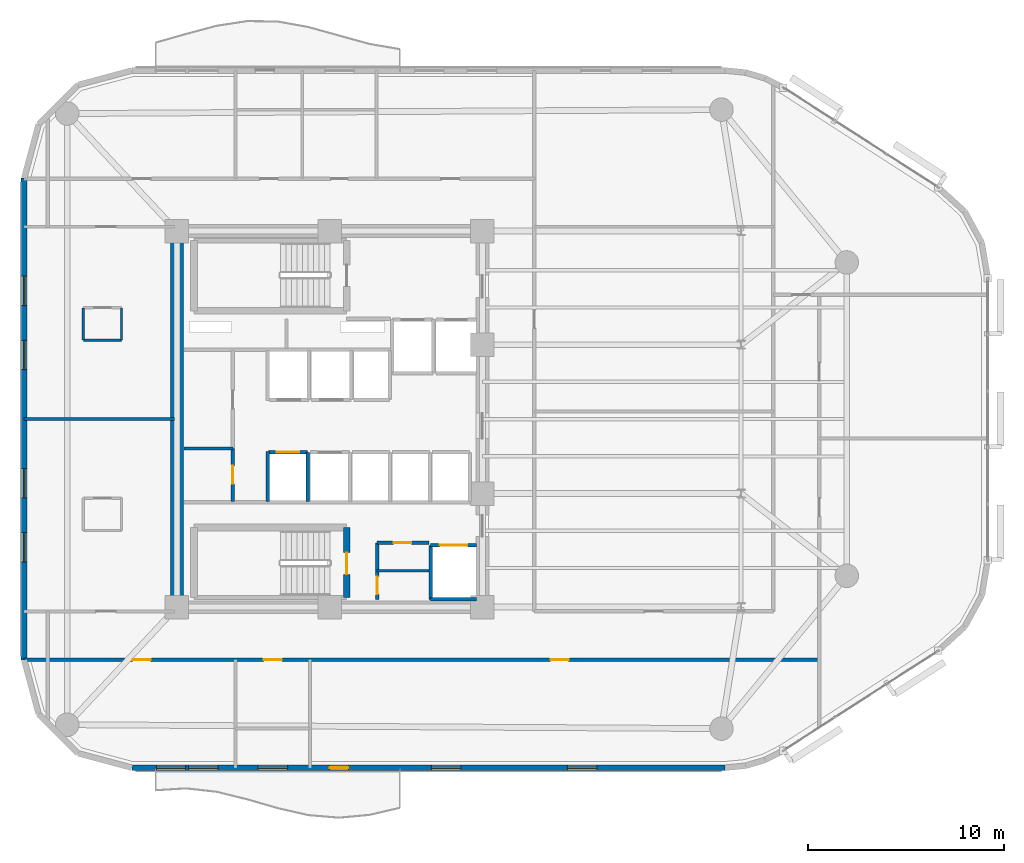
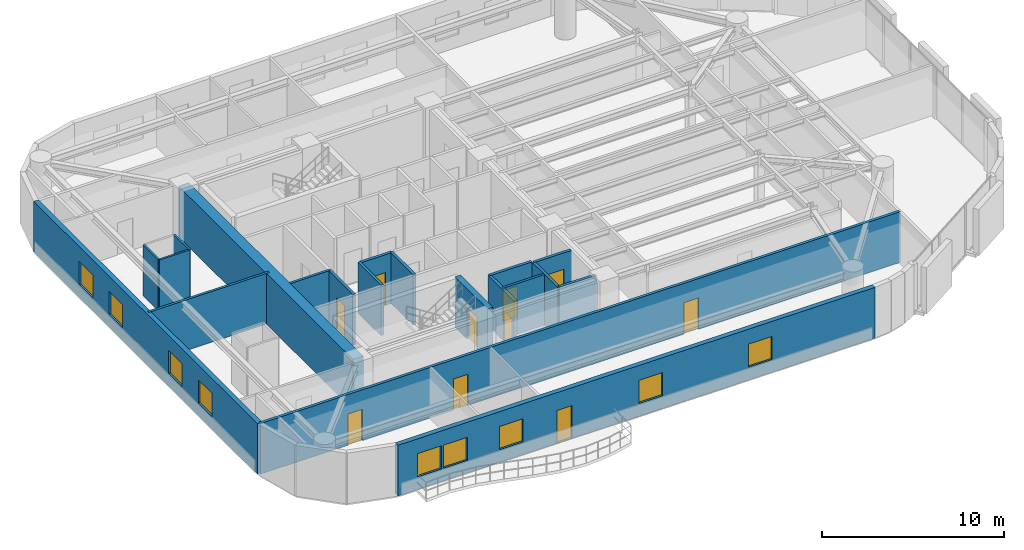
# One storey, part 10 of 15: 20 walls, 10 doors, 9 windows, 19 openings.
"""IFC4 building model written with IfcOpenShell, lengths in metres."""

from ifc_helpers import new_model, si_unit, direction, frame, frame_2d, origin, place, context, subcontext, project, spatial, rectangle, extrude, material, layer, layer_set, type_object, element, fill, save


model = new_model("IFC4")

# Units and contexts
model_context = context("Model", 3, precision=1e-05, world=origin(), true_north=direction((0.0, 1.0)))
body_context = subcontext(model_context, "Body", "Model", "MODEL_VIEW")
ifc_project = project(units=[si_unit("LENGTHUNIT", "METRE"), si_unit("AREAUNIT", "SQUARE_METRE"), si_unit("VOLUMEUNIT", "CUBIC_METRE"), si_unit("PLANEANGLEUNIT", "RADIAN"), si_unit("MASSUNIT", "GRAM", prefix="KILO")], contexts=[model_context])

# Site, building, storey
site_placement = place(None, origin())
site = spatial("IfcSite", under=ifc_project, at=site_placement, CompositionType="ELEMENT")
building_placement = place(site_placement, origin())
building = spatial("IfcBuilding", under=site, at=building_placement, Name="An Khanh Terracotta Commons", CompositionType="ELEMENT")
storey_placement = place(building_placement, frame((0.0, 0.0, 169.0)))
storey = spatial("IfcBuildingStorey", under=building, at=storey_placement, Name="L44", CompositionType="ELEMENT", Elevation=169.0)

# Wall
ifc_material_1 = material(Name="Concrete C60/75", Category="concrete")
ifc_layer_1 = layer(ifc_material_1, 0.64990234375, Name="Concrete C60/75")
ifc_layer_set_1 = layer_set([ifc_layer_1], Name="Concrete C60/75")
wall_type_1 = type_object("IfcWallType", Name="WALL-CORE-650", PredefinedType="SHEAR", material=ifc_layer_set_1)
wall_1_placement = place(storey_placement, frame((21.60009765625, 14.39990234375, 0.0), z_axis=(0.0, 0.0, 1.0), x_axis=(0.0, 1.0, 0.0)))
element("IfcWall", 1, at=wall_1_placement, inside=storey, type_object=wall_type_1, Name="L44 Core Wall CWALL-L44-W", PredefinedType="SHEAR", context=body_context, shape_type="SweptSolid", body=[
    extrude(rectangle(XDim=19.2001953125, YDim=0.64990234375, at=frame_2d((9.60009765625, 0.0))), origin(), (0.0, 0.0, 1.0), 3.39990234375),
])

# Wall, opening, door
ifc_material_2 = material(Name="Fire-Rated Gypsum Board on Steel Stud", Category="steel")
ifc_layer_2 = layer(ifc_material_2, 0.179931640625, Name="Fire-Rated Gypsum Board on Steel Stud")
ifc_layer_set_2 = layer_set([ifc_layer_2], Name="Fire-Rated Gypsum Board on Steel Stud")
wall_type_2 = type_object("IfcWallType", Name="WALL-CORR-180", PredefinedType="PARTITIONING", material=ifc_layer_set_2)
wall_2_placement = place(storey_placement, frame((31.820068359375, 17.679931640625, 0.0), z_axis=(0.0, 0.0, 1.0), x_axis=(1.0, 0.0, 0.0)))
wall_2 = element("IfcWall", 2, at=wall_2_placement, inside=storey, type_object=wall_type_2, Name="L44 Core Wall SSVCW-L44-N", PredefinedType="PARTITIONING", context=body_context, shape_type="SweptSolid", body=[
    extrude(rectangle(XDim=2.659912109375, YDim=0.179931640625, at=frame_2d((1.330078125, 0.0))), origin(), (0.0, 0.0, 1.0), 3.39990234375),
])
opening_1_placement = place(wall_2_placement, frame((0.85009765625, 0.0, 0.0)))
opening_1 = element("IfcOpeningElement", 3, at=opening_1_placement, cuts=wall_2, Name="Opening D-SV", PredefinedType="OPENING", context=body_context, shape_type="SweptSolid", body=[
    extrude(rectangle(XDim=0.89990234375, YDim=2.050048828125, at=frame_2d((0.449951171875, 1.02490234375))), frame((0.0, 0.099853515625, 0.0), z_axis=(0.0, -1.0, 0.0), x_axis=(1.0, 0.0, 0.0)), (0.0, 0.0, 1.0), 0.199951171875),
])
ifc_material_3 = material(Name="Fire-Rated Powder-Coated Steel Door", Category="steel")
door_type_1 = type_object("IfcDoorType", Name="DOOR-SERV-900", OperationType="NOTDEFINED", PredefinedType="DOOR", material=ifc_material_3)
door_1_placement = place(opening_1_placement, origin())
door_1 = element("IfcDoor", 4, at=door_1_placement, inside=storey, type_object=door_type_1, Name="L44 Core Cleaner Store Door", OperationType="SINGLE_SWING_LEFT", OverallHeight=2.050048828125, OverallWidth=0.89990234375, PredefinedType="DOOR", context=body_context, shape_type="SweptSolid", body=[
    extrude(rectangle(XDim=0.89990234375, YDim=2.050048828125, at=frame_2d((0.449951171875, 1.02490234375))), frame((0.0, 0.02490234375, 0.0), z_axis=(0.0, -1.0, 0.0), x_axis=(1.0, 0.0, 0.0)), (0.0, 0.0, 1.0), 0.050048828125),
])
fill(opening_1, door_1)

wall_3_placement = place(storey_placement, frame((31.820068359375, 14.800048828125, 0.0), z_axis=(0.0, 0.0, 1.0), x_axis=(0.0, 1.0, 0.0)))
wall_3 = element("IfcWall", 5, at=wall_3_placement, inside=storey, type_object=wall_type_2, Name="L44 Core Wall SSVCW-L44-W", PredefinedType="PARTITIONING", context=body_context, shape_type="SweptSolid", body=[
    extrude(rectangle(XDim=2.8798828125, YDim=0.179931640625, at=frame_2d((1.43994140625, 0.0))), origin(), (0.0, 0.0, 1.0), 3.39990234375),
])
opening_2_placement = place(wall_3_placement, frame((0.260009765625, 0.0, 0.0)))
opening_2 = element("IfcOpeningElement", 6, at=opening_2_placement, cuts=wall_3, Name="Opening D-SV", PredefinedType="OPENING", context=body_context, shape_type="SweptSolid", body=[
    extrude(rectangle(XDim=0.89990234375, YDim=2.050048828125, at=frame_2d((0.449951171875, 1.02490234375))), frame((0.0, 0.099853515625, 0.0), z_axis=(0.0, -1.0, 0.0), x_axis=(1.0, 0.0, 0.0)), (0.0, 0.0, 1.0), 0.199951171875),
])
door_2_placement = place(opening_2_placement, origin())
door_2 = element("IfcDoor", 7, at=door_2_placement, inside=storey, type_object=door_type_1, Name="L44 Telecoms BMS Cupboard Door", OperationType="SINGLE_SWING_RIGHT", OverallHeight=2.050048828125, OverallWidth=0.89990234375, PredefinedType="DOOR", context=body_context, shape_type="SweptSolid", body=[
    extrude(rectangle(XDim=0.89990234375, YDim=2.050048828125, at=frame_2d((0.449951171875, 1.02490234375))), frame((0.0, 0.02490234375, 0.0), z_axis=(0.0, -1.0, 0.0), x_axis=(1.0, 0.0, 0.0)), (0.0, 0.0, 1.0), 0.050048828125),
])
fill(opening_2, door_2)

wall_4_placement = place(storey_placement, frame((34.550048828125, 17.550048828125, 0.0), z_axis=(0.0, 0.0, 1.0), x_axis=(1.0, 0.0, 0.0)))
wall_4 = element("IfcWall", 8, at=wall_4_placement, inside=storey, type_object=wall_type_2, Name="L44 Core Wall LSH-L44-SVL-01-N", PredefinedType="PARTITIONING", context=body_context, shape_type="SweptSolid", body=[
    extrude(rectangle(XDim=2.349853515625, YDim=0.179931640625, at=frame_2d((1.1748046875, 0.0))), origin(), (0.0, 0.0, 1.0), 3.39990234375),
])
opening_3_placement = place(wall_4_placement, frame((0.47509765625, 0.0, 0.0)))
opening_3 = element("IfcOpeningElement", 9, at=opening_3_placement, cuts=wall_4, Name="Opening LD-SVL-01-L44", PredefinedType="OPENING", context=body_context, shape_type="SweptSolid", body=[
    extrude(rectangle(XDim=1.39990234375, YDim=2.300048828125, at=frame_2d((0.699951171875, 1.14990234375))), frame((0.0, 0.099853515625, 0.0), z_axis=(0.0, -1.0, 0.0), x_axis=(1.0, 0.0, 0.0)), (0.0, 0.0, 1.0), 0.199951171875),
])
ifc_material_4 = material(Name="Heavy-Duty Stainless Steel Goods Landing Door", Category="steel")
door_type_2 = type_object("IfcDoorType", Name="DOOR-LD-SVL-1400", OperationType="NOTDEFINED", PredefinedType="DOOR", material=ifc_material_4)
door_3_placement = place(opening_3_placement, origin())
door_3 = element("IfcDoor", 10, at=door_3_placement, inside=storey, type_object=door_type_2, Name="L44 Lift SVL-01 Sliding Landing Door", OperationType="DOUBLE_DOOR_SLIDING", OverallHeight=2.300048828125, OverallWidth=1.39990234375, PredefinedType="DOOR", context=body_context, shape_type="SweptSolid", body=[
    extrude(rectangle(XDim=1.39990234375, YDim=2.300048828125, at=frame_2d((0.699951171875, 1.14990234375))), frame((0.0, 0.02490234375, 0.0), z_axis=(0.0, -1.0, 0.0), x_axis=(1.0, 0.0, 0.0)), (0.0, 0.0, 1.0), 0.050048828125),
])
fill(opening_3, door_3)

# Walls
wall_5_placement = place(storey_placement, frame((36.89990234375, 14.800048828125, 0.0), z_axis=(0.0, 0.0, 1.0), x_axis=(-1.0, 0.0, 0.0)))
element("IfcWall", 11, at=wall_5_placement, inside=storey, type_object=wall_type_2, Name="L44 Core Wall LSH-L44-SVL-01-S", PredefinedType="PARTITIONING", context=body_context, shape_type="SweptSolid", body=[
    extrude(rectangle(XDim=2.349853515625, YDim=0.179931640625, at=frame_2d((1.1748046875, 0.0))), origin(), (0.0, 0.0, 1.0), 3.39990234375),
])
wall_6_placement = place(storey_placement, frame((34.550048828125, 17.550048828125, 0.0), z_axis=(0.0, 0.0, 1.0), x_axis=(0.0, -1.0, 0.0)))
element("IfcWall", 12, at=wall_6_placement, inside=storey, type_object=wall_type_2, Name="L44 Core Wall LSH-L44-SVL-01-W", PredefinedType="PARTITIONING", context=body_context, shape_type="SweptSolid", body=[
    extrude(rectangle(XDim=2.75, YDim=0.179931640625, at=frame_2d((1.375, 0.0))), origin(), (0.0, 0.0, 1.0), 3.39990234375),
])

# Wall, opening, door
wall_7_placement = place(storey_placement, frame((26.280029296875, 22.300048828125, 0.0), z_axis=(0.0, 0.0, 1.0), x_axis=(1.0, 0.0, 0.0)))
wall_7 = element("IfcWall", 13, at=wall_7_placement, inside=storey, type_object=wall_type_2, Name="L44 Core Wall LSH-L44-PL-M3-N", PredefinedType="PARTITIONING", context=body_context, shape_type="SweptSolid", body=[
    extrude(rectangle(XDim=2.0, YDim=0.179931640625, at=frame_2d((1.0, 0.0))), origin(), (0.0, 0.0, 1.0), 3.39990234375),
])
opening_4_placement = place(wall_7_placement, frame((0.425048828125, 0.0, 0.0)))
opening_4 = element("IfcOpeningElement", 14, at=opening_4_placement, cuts=wall_7, Name="Opening LD-PL-M3-L44", PredefinedType="OPENING", context=body_context, shape_type="SweptSolid", body=[
    extrude(rectangle(XDim=1.14990234375, YDim=2.199951171875, at=frame_2d((0.574951171875, 1.10009765625))), frame((0.0, 0.099853515625, 0.0), z_axis=(0.0, -1.0, 0.0), x_axis=(1.0, 0.0, 0.0)), (0.0, 0.0, 1.0), 0.199951171875),
])
ifc_material_5 = material(Name="Brushed Stainless Steel Passenger Landing Door", Category="steel")
door_type_3 = type_object("IfcDoorType", Name="DOOR-LD-PAX-1150", OperationType="NOTDEFINED", PredefinedType="DOOR", material=ifc_material_5)
door_4_placement = place(opening_4_placement, origin())
door_4 = element("IfcDoor", 15, at=door_4_placement, inside=storey, type_object=door_type_3, Name="L44 Lift PL-M3 Sliding Landing Door", OperationType="DOUBLE_DOOR_SLIDING", OverallHeight=2.199951171875, OverallWidth=1.14990234375, PredefinedType="DOOR", context=body_context, shape_type="SweptSolid", body=[
    extrude(rectangle(XDim=1.14990234375, YDim=2.199951171875, at=frame_2d((0.574951171875, 1.10009765625))), frame((0.0, 0.02490234375, 0.0), z_axis=(0.0, -1.0, 0.0), x_axis=(1.0, 0.0, 0.0)), (0.0, 0.0, 1.0), 0.050048828125),
])
fill(opening_4, door_4)

# Wall
wall_8_placement = place(storey_placement, frame((28.280029296875, 19.800048828125, 0.0), z_axis=(0.0, 0.0, 1.0), x_axis=(0.0, 1.0, 0.0)))
element("IfcWall", 16, at=wall_8_placement, inside=storey, type_object=wall_type_2, Name="L44 Core Wall LSH-L44-PL-M3-E", PredefinedType="PARTITIONING", context=body_context, shape_type="SweptSolid", body=[
    extrude(rectangle(XDim=2.5, YDim=0.179931640625, at=frame_2d((1.25, 0.0))), origin(), (0.0, 0.0, 1.0), 3.39990234375),
])

# Wall, opening, door
wall_9_placement = place(storey_placement, frame((24.4599609375, 19.800048828125, 0.0), z_axis=(0.0, 0.0, 1.0), x_axis=(0.0, 1.0, 0.0)))
wall_9 = element("IfcWall", 17, at=wall_9_placement, inside=storey, type_object=wall_type_2, Name="L44 Core Wall RECW-L44-E2", PredefinedType="PARTITIONING", context=body_context, shape_type="SweptSolid", body=[
    extrude(rectangle(XDim=2.699951171875, YDim=0.179931640625, at=frame_2d((1.35009765625, 0.0))), origin(), (0.0, 0.0, 1.0), 3.39990234375),
])
opening_5_placement = place(wall_9_placement, frame((0.889892578125, 0.0, 0.0)))
opening_5 = element("IfcOpeningElement", 18, at=opening_5_placement, cuts=wall_9, Name="Opening D-RM", PredefinedType="OPENING", context=body_context, shape_type="SweptSolid", body=[
    extrude(rectangle(XDim=0.919921875, YDim=2.10009765625, at=frame_2d((0.4599609375, 1.050048828125))), frame((0.0, 0.099853515625, 0.0), z_axis=(0.0, -1.0, 0.0), x_axis=(1.0, 0.0, 0.0)), (0.0, 0.0, 1.0), 0.199951171875),
])
ifc_material_6 = material(Name="Engineered Hardwood Timber Leaf", Category="wood")
door_type_4 = type_object("IfcDoorType", Name="DOOR-INT-920", OperationType="NOTDEFINED", PredefinedType="DOOR", material=ifc_material_6)
door_5_placement = place(opening_5_placement, origin())
door_5 = element("IfcDoor", 19, at=door_5_placement, inside=storey, type_object=door_type_4, Name="L44 Communal Laundry Room Door", OperationType="SINGLE_SWING_RIGHT", OverallHeight=2.10009765625, OverallWidth=0.919921875, PredefinedType="DOOR", context=body_context, shape_type="SweptSolid", body=[
    extrude(rectangle(XDim=0.919921875, YDim=2.10009765625, at=frame_2d((0.4599609375, 1.050048828125))), frame((0.0, 0.02490234375, 0.0), z_axis=(0.0, -1.0, 0.0), x_axis=(1.0, 0.0, 0.0)), (0.0, 0.0, 1.0), 0.050048828125),
])
fill(opening_5, door_5)

# Wall
wall_10_placement = place(storey_placement, frame((26.25, 19.800048828125, 0.0), z_axis=(0.0, 0.0, 1.0), x_axis=(0.0, 1.0, 0.0)))
element("IfcWall", 20, at=wall_10_placement, inside=storey, type_object=wall_type_2, Name="L44 Core Wall RECW-L44-BE2", PredefinedType="PARTITIONING", context=body_context, shape_type="SweptSolid", body=[
    extrude(rectangle(XDim=2.550048828125, YDim=0.179931640625, at=frame_2d((1.27490234375, 0.0))), origin(), (0.0, 0.0, 1.0), 3.39990234375),
])

# Wall, openings, doors
wall_11_placement = place(storey_placement, frame((13.800048828125, 11.719970703125, 0.0), z_axis=(0.0, 0.0, 1.0), x_axis=(1.0, 0.0, 0.0)))
wall_11 = element("IfcWall", 21, at=wall_11_placement, inside=storey, type_object=wall_type_2, Name="L44 Interior Partition IW-L44-E002", PredefinedType="PARTITIONING", context=body_context, shape_type="SweptSolid", body=[
    extrude(rectangle(XDim=40.599853515625, YDim=0.179931640625, at=frame_2d((20.2998046875, 0.0))), origin(), (0.0, 0.0, 1.0), 3.39990234375),
])
opening_6_placement = place(wall_11_placement, frame((12.239990234375, 0.0, 0.0)))
opening_6 = element("IfcOpeningElement", 22, at=opening_6_placement, cuts=wall_11, Name="Opening D-RM", PredefinedType="OPENING", context=body_context, shape_type="SweptSolid", body=[
    extrude(rectangle(XDim=0.919921875, YDim=2.10009765625, at=frame_2d((0.4599609375, 1.050048828125))), frame((0.0, 0.099853515625, 0.0), z_axis=(0.0, -1.0, 0.0), x_axis=(1.0, 0.0, 0.0)), (0.0, 0.0, 1.0), 0.199951171875),
])
opening_7_placement = place(wall_11_placement, frame((5.5400390625, 0.0, 0.0)))
opening_7 = element("IfcOpeningElement", 23, at=opening_7_placement, cuts=wall_11, Name="Opening D-RM", PredefinedType="OPENING", context=body_context, shape_type="SweptSolid", body=[
    extrude(rectangle(XDim=0.919921875, YDim=2.10009765625, at=frame_2d((0.4599609375, 1.050048828125))), frame((0.0, 0.099853515625, 0.0), z_axis=(0.0, -1.0, 0.0), x_axis=(1.0, 0.0, 0.0)), (0.0, 0.0, 1.0), 0.199951171875),
])
opening_8_placement = place(wall_11_placement, frame((26.8798828125, 0.0, 0.0)))
opening_8 = element("IfcOpeningElement", 24, at=opening_8_placement, cuts=wall_11, Name="Opening D-RM", PredefinedType="OPENING", context=body_context, shape_type="SweptSolid", body=[
    extrude(rectangle(XDim=0.919921875, YDim=2.10009765625, at=frame_2d((0.4599609375, 1.050048828125))), frame((0.0, 0.099853515625, 0.0), z_axis=(0.0, -1.0, 0.0), x_axis=(1.0, 0.0, 0.0)), (0.0, 0.0, 1.0), 0.199951171875),
])
door_6_placement = place(opening_6_placement, origin())
door_6 = element("IfcDoor", 25, at=door_6_placement, inside=storey, type_object=door_type_4, Name="L44 HKP Housekeeping Linen Store Door", OperationType="SINGLE_SWING_LEFT", OverallHeight=2.10009765625, OverallWidth=0.919921875, PredefinedType="DOOR", context=body_context, shape_type="SweptSolid", body=[
    extrude(rectangle(XDim=0.919921875, YDim=2.10009765625, at=frame_2d((0.4599609375, 1.050048828125))), frame((0.0, 0.02490234375, 0.0), z_axis=(0.0, -1.0, 0.0), x_axis=(1.0, 0.0, 0.0)), (0.0, 0.0, 1.0), 0.050048828125),
])
fill(opening_6, door_6)
door_7_placement = place(opening_7_placement, origin())
door_7 = element("IfcDoor", 26, at=door_7_placement, inside=storey, type_object=door_type_4, Name="L44 SW1 Academic Seminar Room Door", OperationType="SINGLE_SWING_LEFT", OverallHeight=2.10009765625, OverallWidth=0.919921875, PredefinedType="DOOR", context=body_context, shape_type="SweptSolid", body=[
    extrude(rectangle(XDim=0.919921875, YDim=2.10009765625, at=frame_2d((0.4599609375, 1.050048828125))), frame((0.0, 0.02490234375, 0.0), z_axis=(0.0, -1.0, 0.0), x_axis=(1.0, 0.0, 0.0)), (0.0, 0.0, 1.0), 0.050048828125),
])
fill(opening_7, door_7)
door_8_placement = place(opening_8_placement, origin())
door_8 = element("IfcDoor", 27, at=door_8_placement, inside=storey, type_object=door_type_4, Name="L44 SWE Academic Seminar Room Door", OperationType="SINGLE_SWING_RIGHT", OverallHeight=2.10009765625, OverallWidth=0.919921875, PredefinedType="DOOR", context=body_context, shape_type="SweptSolid", body=[
    extrude(rectangle(XDim=0.919921875, YDim=2.10009765625, at=frame_2d((0.4599609375, 1.050048828125))), frame((0.0, 0.02490234375, 0.0), z_axis=(0.0, -1.0, 0.0), x_axis=(1.0, 0.0, 0.0)), (0.0, 0.0, 1.0), 0.050048828125),
])
fill(opening_8, door_8)

# Wall, openings, door, windows
ifc_material_7 = material(Name="Precast concrete C40/50", Category="concrete")
ifc_layer_3 = layer(ifc_material_7, 0.300048828125, Name="Precast concrete C40/50")
ifc_layer_set_3 = layer_set([ifc_layer_3], Name="Precast concrete C40/50")
wall_type_3 = type_object("IfcWallType", Name="WALL-EXT-300", PredefinedType="SOLIDWALL", material=ifc_layer_set_3)
wall_12_placement = place(storey_placement, frame((19.300048828125, 6.199951171875, 0.0), z_axis=(0.0, 0.0, 1.0), x_axis=(1.0, 0.0, 0.0)))
wall_12 = element("IfcWall", 28, at=wall_12_placement, inside=storey, type_object=wall_type_3, Name="L44 Insulated Terracotta Exterior Wall 4", PredefinedType="SOLIDWALL", context=body_context, shape_type="SweptSolid", body=[
    extrude(rectangle(XDim=30.281982421875, YDim=0.300048828125, at=frame_2d((15.14111328125, 0.0))), origin(), (0.0, 0.0, 1.0), 3.39990234375),
])
opening_9_placement = place(wall_12_placement, frame((10.10009765625, 0.0, 0.0)))
opening_9 = element("IfcOpeningElement", 29, at=opening_9_placement, cuts=wall_12, Name="Opening D-BAL", PredefinedType="OPENING", context=body_context, shape_type="SweptSolid", body=[
    extrude(rectangle(XDim=0.949951171875, YDim=2.199951171875, at=frame_2d((0.47509765625, 1.10009765625))), frame((0.0, 0.159912109375, 0.0), z_axis=(0.0, -1.0, 0.0), x_axis=(1.0, 0.0, 0.0)), (0.0, 0.0, 1.0), 0.320068359375),
])
opening_10_placement = place(wall_12_placement, frame((1.25, 0.0, 0.85009765625)))
opening_10 = element("IfcOpeningElement", 30, at=opening_10_placement, cuts=wall_12, Name="Opening W-03", PredefinedType="OPENING", context=body_context, shape_type="SweptSolid", body=[
    extrude(rectangle(XDim=1.5, YDim=1.550048828125, at=frame_2d((0.75, 0.77490234375))), frame((0.0, 0.159912109375, 0.0), z_axis=(0.0, -1.0, 0.0), x_axis=(1.0, 0.0, 0.0)), (0.0, 0.0, 1.0), 0.320068359375),
])
opening_11_placement = place(wall_12_placement, frame((2.89990234375, 0.0, 0.85009765625)))
opening_11 = element("IfcOpeningElement", 31, at=opening_11_placement, cuts=wall_12, Name="Opening W-03", PredefinedType="OPENING", context=body_context, shape_type="SweptSolid", body=[
    extrude(rectangle(XDim=1.5, YDim=1.550048828125, at=frame_2d((0.75, 0.77490234375))), frame((0.0, 0.159912109375, 0.0), z_axis=(0.0, -1.0, 0.0), x_axis=(1.0, 0.0, 0.0)), (0.0, 0.0, 1.0), 0.320068359375),
])
opening_12_placement = place(wall_12_placement, frame((6.449951171875, 0.0, 0.85009765625)))
opening_12 = element("IfcOpeningElement", 32, at=opening_12_placement, cuts=wall_12, Name="Opening W-03", PredefinedType="OPENING", context=body_context, shape_type="SweptSolid", body=[
    extrude(rectangle(XDim=1.5, YDim=1.550048828125, at=frame_2d((0.75, 0.77490234375))), frame((0.0, 0.159912109375, 0.0), z_axis=(0.0, -1.0, 0.0), x_axis=(1.0, 0.0, 0.0)), (0.0, 0.0, 1.0), 0.320068359375),
])
opening_13_placement = place(wall_12_placement, frame((15.2939453125, 0.0, 0.85009765625)))
opening_13 = element("IfcOpeningElement", 33, at=opening_13_placement, cuts=wall_12, Name="Opening W-03", PredefinedType="OPENING", context=body_context, shape_type="SweptSolid", body=[
    extrude(rectangle(XDim=1.5, YDim=1.550048828125, at=frame_2d((0.75, 0.77490234375))), frame((0.0, 0.159912109375, 0.0), z_axis=(0.0, -1.0, 0.0), x_axis=(1.0, 0.0, 0.0)), (0.0, 0.0, 1.0), 0.320068359375),
])
opening_14_placement = place(wall_12_placement, frame((22.238037109375, 0.0, 0.85009765625)))
opening_14 = element("IfcOpeningElement", 34, at=opening_14_placement, cuts=wall_12, Name="Opening W-03", PredefinedType="OPENING", context=body_context, shape_type="SweptSolid", body=[
    extrude(rectangle(XDim=1.5, YDim=1.550048828125, at=frame_2d((0.75, 0.77490234375))), frame((0.0, 0.159912109375, 0.0), z_axis=(0.0, -1.0, 0.0), x_axis=(1.0, 0.0, 0.0)), (0.0, 0.0, 1.0), 0.320068359375),
])
ifc_material_8 = material(Name="Thermally Broken Aluminium and Low-E Glass", Category="aluminium")
door_type_5 = type_object("IfcDoorType", Name="DOOR-BALC-950", OperationType="NOTDEFINED", PredefinedType="DOOR", material=ifc_material_8)
door_9_placement = place(opening_9_placement, origin())
door_9 = element("IfcDoor", 35, at=door_9_placement, inside=storey, type_object=door_type_5, Name="L44 S Wave Balcony Glazed Door", OperationType="SINGLE_SWING_LEFT", OverallHeight=2.199951171875, OverallWidth=0.949951171875, PredefinedType="DOOR", context=body_context, shape_type="SweptSolid", body=[
    extrude(rectangle(XDim=0.949951171875, YDim=2.199951171875, at=frame_2d((0.47509765625, 1.10009765625))), frame((0.0, 0.02490234375, 0.0), z_axis=(0.0, -1.0, 0.0), x_axis=(1.0, 0.0, 0.0)), (0.0, 0.0, 1.0), 0.050048828125),
])
fill(opening_9, door_9)
window_type = type_object("IfcWindowType", Name="WIN-Z3-1500x1550", PartitioningType="DOUBLE_PANEL_VERTICAL", PredefinedType="WINDOW", material=ifc_material_8)
window_1_placement = place(opening_10_placement, origin())
window_1 = element("IfcWindow", 36, at=window_1_placement, inside=storey, type_object=window_type, Name="L44 Operable Casement Window 4.1", OverallHeight=1.550048828125, OverallWidth=1.5, PartitioningType="DOUBLE_PANEL_VERTICAL", PredefinedType="WINDOW", context=body_context, shape_type="SweptSolid", body=[
    extrude(rectangle(XDim=1.5, YDim=1.550048828125, at=frame_2d((0.75, 0.77490234375))), frame((0.0, 0.030029296875, 0.0), z_axis=(0.0, -1.0, 0.0), x_axis=(1.0, 0.0, 0.0)), (0.0, 0.0, 1.0), 0.06005859375),
])
fill(opening_10, window_1)
window_2_placement = place(opening_11_placement, origin())
window_2 = element("IfcWindow", 37, at=window_2_placement, inside=storey, type_object=window_type, Name="L44 Operable Casement Window 4.2", OverallHeight=1.550048828125, OverallWidth=1.5, PartitioningType="DOUBLE_PANEL_VERTICAL", PredefinedType="WINDOW", context=body_context, shape_type="SweptSolid", body=[
    extrude(rectangle(XDim=1.5, YDim=1.550048828125, at=frame_2d((0.75, 0.77490234375))), frame((0.0, 0.030029296875, 0.0), z_axis=(0.0, -1.0, 0.0), x_axis=(1.0, 0.0, 0.0)), (0.0, 0.0, 1.0), 0.06005859375),
])
fill(opening_11, window_2)
window_3_placement = place(opening_12_placement, origin())
window_3 = element("IfcWindow", 38, at=window_3_placement, inside=storey, type_object=window_type, Name="L44 Operable Casement Window 4.3", OverallHeight=1.550048828125, OverallWidth=1.5, PartitioningType="DOUBLE_PANEL_VERTICAL", PredefinedType="WINDOW", context=body_context, shape_type="SweptSolid", body=[
    extrude(rectangle(XDim=1.5, YDim=1.550048828125, at=frame_2d((0.75, 0.77490234375))), frame((0.0, 0.030029296875, 0.0), z_axis=(0.0, -1.0, 0.0), x_axis=(1.0, 0.0, 0.0)), (0.0, 0.0, 1.0), 0.06005859375),
])
fill(opening_12, window_3)
window_4_placement = place(opening_13_placement, origin())
window_4 = element("IfcWindow", 39, at=window_4_placement, inside=storey, type_object=window_type, Name="L44 Operable Casement Window 4.4", OverallHeight=1.550048828125, OverallWidth=1.5, PartitioningType="DOUBLE_PANEL_VERTICAL", PredefinedType="WINDOW", context=body_context, shape_type="SweptSolid", body=[
    extrude(rectangle(XDim=1.5, YDim=1.550048828125, at=frame_2d((0.75, 0.77490234375))), frame((0.0, 0.030029296875, 0.0), z_axis=(0.0, -1.0, 0.0), x_axis=(1.0, 0.0, 0.0)), (0.0, 0.0, 1.0), 0.06005859375),
])
fill(opening_13, window_4)
window_5_placement = place(opening_14_placement, origin())
window_5 = element("IfcWindow", 40, at=window_5_placement, inside=storey, type_object=window_type, Name="L44 Operable Casement Window 4.5", OverallHeight=1.550048828125, OverallWidth=1.5, PartitioningType="DOUBLE_PANEL_VERTICAL", PredefinedType="WINDOW", context=body_context, shape_type="SweptSolid", body=[
    extrude(rectangle(XDim=1.5, YDim=1.550048828125, at=frame_2d((0.75, 0.77490234375))), frame((0.0, 0.030029296875, 0.0), z_axis=(0.0, -1.0, 0.0), x_axis=(1.0, 0.0, 0.0)), (0.0, 0.0, 1.0), 0.06005859375),
])
fill(opening_14, window_5)

# Wall, openings, windows
wall_13_placement = place(storey_placement, frame((13.800048828125, 36.300048828125, 0.0), z_axis=(0.0, 0.0, 1.0), x_axis=(0.0, -1.0, 0.0)))
wall_13 = element("IfcWall", 41, at=wall_13_placement, inside=storey, type_object=wall_type_3, Name="L44 Insulated Terracotta Exterior Wall 24", PredefinedType="SOLIDWALL", context=body_context, shape_type="SweptSolid", body=[
    extrude(rectangle(XDim=24.60009765625, YDim=0.300048828125, at=frame_2d((12.300048828125, 0.0))), origin(), (0.0, 0.0, 1.0), 3.39990234375),
])
opening_15_placement = place(wall_13_placement, frame((5.0029296875, 0.0, 0.85009765625)))
opening_15 = element("IfcOpeningElement", 42, at=opening_15_placement, cuts=wall_13, Name="Opening W-03", PredefinedType="OPENING", context=body_context, shape_type="SweptSolid", body=[
    extrude(rectangle(XDim=1.5, YDim=1.550048828125, at=frame_2d((0.75, 0.77490234375))), frame((0.0, 0.159912109375, 0.0), z_axis=(0.0, -1.0, 0.0), x_axis=(1.0, 0.0, 0.0)), (0.0, 0.0, 1.0), 0.320068359375),
])
opening_16_placement = place(wall_13_placement, frame((8.277099609375, 0.0, 0.85009765625)))
opening_16 = element("IfcOpeningElement", 43, at=opening_16_placement, cuts=wall_13, Name="Opening W-03", PredefinedType="OPENING", context=body_context, shape_type="SweptSolid", body=[
    extrude(rectangle(XDim=1.5, YDim=1.550048828125, at=frame_2d((0.75, 0.77490234375))), frame((0.0, 0.159912109375, 0.0), z_axis=(0.0, -1.0, 0.0), x_axis=(1.0, 0.0, 0.0)), (0.0, 0.0, 1.0), 0.320068359375),
])
opening_17_placement = place(wall_13_placement, frame((14.822998046875, 0.0, 0.85009765625)))
opening_17 = element("IfcOpeningElement", 44, at=opening_17_placement, cuts=wall_13, Name="Opening W-03", PredefinedType="OPENING", context=body_context, shape_type="SweptSolid", body=[
    extrude(rectangle(XDim=1.5, YDim=1.550048828125, at=frame_2d((0.75, 0.77490234375))), frame((0.0, 0.159912109375, 0.0), z_axis=(0.0, -1.0, 0.0), x_axis=(1.0, 0.0, 0.0)), (0.0, 0.0, 1.0), 0.320068359375),
])
opening_18_placement = place(wall_13_placement, frame((18.096923828125, 0.0, 0.85009765625)))
opening_18 = element("IfcOpeningElement", 45, at=opening_18_placement, cuts=wall_13, Name="Opening W-03", PredefinedType="OPENING", context=body_context, shape_type="SweptSolid", body=[
    extrude(rectangle(XDim=1.5, YDim=1.550048828125, at=frame_2d((0.75, 0.77490234375))), frame((0.0, 0.159912109375, 0.0), z_axis=(0.0, -1.0, 0.0), x_axis=(1.0, 0.0, 0.0)), (0.0, 0.0, 1.0), 0.320068359375),
])
window_6_placement = place(opening_15_placement, origin())
window_6 = element("IfcWindow", 46, at=window_6_placement, inside=storey, type_object=window_type, Name="L44 Operable Casement Window 24.1", OverallHeight=1.550048828125, OverallWidth=1.5, PartitioningType="DOUBLE_PANEL_VERTICAL", PredefinedType="WINDOW", context=body_context, shape_type="SweptSolid", body=[
    extrude(rectangle(XDim=1.5, YDim=1.550048828125, at=frame_2d((0.75, 0.77490234375))), frame((0.0, 0.030029296875, 0.0), z_axis=(0.0, -1.0, 0.0), x_axis=(1.0, 0.0, 0.0)), (0.0, 0.0, 1.0), 0.06005859375),
])
fill(opening_15, window_6)
window_7_placement = place(opening_16_placement, origin())
window_7 = element("IfcWindow", 47, at=window_7_placement, inside=storey, type_object=window_type, Name="L44 Operable Casement Window 24.2", OverallHeight=1.550048828125, OverallWidth=1.5, PartitioningType="DOUBLE_PANEL_VERTICAL", PredefinedType="WINDOW", context=body_context, shape_type="SweptSolid", body=[
    extrude(rectangle(XDim=1.5, YDim=1.550048828125, at=frame_2d((0.75, 0.77490234375))), frame((0.0, 0.030029296875, 0.0), z_axis=(0.0, -1.0, 0.0), x_axis=(1.0, 0.0, 0.0)), (0.0, 0.0, 1.0), 0.06005859375),
])
fill(opening_16, window_7)
window_8_placement = place(opening_17_placement, origin())
window_8 = element("IfcWindow", 48, at=window_8_placement, inside=storey, type_object=window_type, Name="L44 Operable Casement Window 24.3", OverallHeight=1.550048828125, OverallWidth=1.5, PartitioningType="DOUBLE_PANEL_VERTICAL", PredefinedType="WINDOW", context=body_context, shape_type="SweptSolid", body=[
    extrude(rectangle(XDim=1.5, YDim=1.550048828125, at=frame_2d((0.75, 0.77490234375))), frame((0.0, 0.030029296875, 0.0), z_axis=(0.0, -1.0, 0.0), x_axis=(1.0, 0.0, 0.0)), (0.0, 0.0, 1.0), 0.06005859375),
])
fill(opening_17, window_8)
window_9_placement = place(opening_18_placement, origin())
window_9 = element("IfcWindow", 49, at=window_9_placement, inside=storey, type_object=window_type, Name="L44 Operable Casement Window 24.4", OverallHeight=1.550048828125, OverallWidth=1.5, PartitioningType="DOUBLE_PANEL_VERTICAL", PredefinedType="WINDOW", context=body_context, shape_type="SweptSolid", body=[
    extrude(rectangle(XDim=1.5, YDim=1.550048828125, at=frame_2d((0.75, 0.77490234375))), frame((0.0, 0.030029296875, 0.0), z_axis=(0.0, -1.0, 0.0), x_axis=(1.0, 0.0, 0.0)), (0.0, 0.0, 1.0), 0.06005859375),
])
fill(opening_18, window_9)

# Walls
ifc_material_9 = material(Name="Acoustic Gypsum Board Partition")
ifc_layer_4 = layer(ifc_material_9, 0.14990234375, Name="Acoustic Gypsum Board Partition")
ifc_layer_set_4 = layer_set([ifc_layer_4], Name="Acoustic Gypsum Board Partition")
wall_type_4 = type_object("IfcWallType", Name="WALL-PART-150", PredefinedType="PARTITIONING", material=ifc_layer_set_4)
wall_14_placement = place(storey_placement, frame((31.820068359375, 16.260009765625, 0.0), z_axis=(0.0, 0.0, 1.0), x_axis=(1.0, 0.0, 0.0)))
element("IfcWall", 50, at=wall_14_placement, inside=storey, type_object=wall_type_4, Name="L44 Core Wall SSVCW-L44-M", PredefinedType="PARTITIONING", context=body_context, shape_type="SweptSolid", body=[
    extrude(rectangle(XDim=2.659912109375, YDim=0.14990234375, at=frame_2d((1.330078125, 0.0))), origin(), (0.0, 0.0, 1.0), 3.39990234375),
])
wall_15_placement = place(storey_placement, frame((21.949951171875, 22.5, 0.0), z_axis=(0.0, 0.0, 1.0), x_axis=(1.0, 0.0, 0.0)))
element("IfcWall", 51, at=wall_15_placement, inside=storey, type_object=wall_type_4, Name="L44 Core Wall RECW-L44-M", PredefinedType="PARTITIONING", context=body_context, shape_type="SweptSolid", body=[
    extrude(rectangle(XDim=2.510009765625, YDim=0.14990234375, at=frame_2d((1.2548828125, 0.0))), origin(), (0.0, 0.0, 1.0), 3.39990234375),
])
wall_16_placement = place(storey_placement, frame((13.800048828125, 24.0, 0.0), z_axis=(0.0, 0.0, 1.0), x_axis=(1.0, 0.0, 0.0)))
element("IfcWall", 52, at=wall_16_placement, inside=storey, type_object=wall_type_4, Name="L44 Interior Partition IW-L44-E006", PredefinedType="PARTITIONING", context=body_context, shape_type="SweptSolid", body=[
    extrude(rectangle(XDim=7.679931640625, YDim=0.14990234375, at=frame_2d((3.83984375, 0.0))), origin(), (0.0, 0.0, 1.0), 3.39990234375),
])

# Wall, opening, door
ifc_material_10 = material(Name="Concrete C50/60", Category="concrete")
ifc_layer_5 = layer(ifc_material_10, 0.35009765625, Name="Concrete C50/60")
ifc_layer_set_5 = layer_set([ifc_layer_5], Name="Concrete C50/60")
wall_type_5 = type_object("IfcWallType", Name="WALL-SHAFT-350", PredefinedType="SOLIDWALL", material=ifc_layer_set_5)
wall_17_placement = place(storey_placement, frame((30.27001953125, 14.889892578125, 0.0), z_axis=(0.0, 0.0, 1.0), x_axis=(0.0, 1.0, 0.0)))
wall_17 = element("IfcWall", 53, at=wall_17_placement, inside=storey, type_object=wall_type_5, Name="L44 Core Wall STW-L44-S-E", PredefinedType="SOLIDWALL", context=body_context, shape_type="SweptSolid", body=[
    extrude(rectangle(XDim=3.580078125, YDim=0.35009765625, at=frame_2d((1.7900390625, 0.0))), origin(), (0.0, 0.0, 1.0), 3.39990234375),
])
opening_19_placement = place(wall_17_placement, frame((1.18994140625, 0.0, 0.0)))
opening_19 = element("IfcOpeningElement", 54, at=opening_19_placement, cuts=wall_17, Name="Opening D-ST", PredefinedType="OPENING", context=body_context, shape_type="SweptSolid", body=[
    extrude(rectangle(XDim=1.10009765625, YDim=2.14990234375, at=frame_2d((0.550048828125, 1.074951171875))), frame((0.0, 0.18505859375, 0.0), z_axis=(0.0, -1.0, 0.0), x_axis=(1.0, 0.0, 0.0)), (0.0, 0.0, 1.0), 0.3701171875),
])
ifc_material_11 = material(Name="Fire-Rated Steel Leaf and Frame", Category="steel")
door_type_6 = type_object("IfcDoorType", Name="DOOR-STAIR-1100", OperationType="NOTDEFINED", PredefinedType="DOOR", material=ifc_material_11)
door_10_placement = place(opening_19_placement, origin())
door_10 = element("IfcDoor", 55, at=door_10_placement, inside=storey, type_object=door_type_6, Name="L44 Stair ST-02 Fire Door", OperationType="SINGLE_SWING_RIGHT", OverallHeight=2.14990234375, OverallWidth=1.10009765625, PredefinedType="DOOR", context=body_context, shape_type="SweptSolid", body=[
    extrude(rectangle(XDim=1.10009765625, YDim=2.14990234375, at=frame_2d((0.550048828125, 1.074951171875))), frame((0.0, 0.02490234375, 0.0), z_axis=(0.0, -1.0, 0.0), x_axis=(1.0, 0.0, 0.0)), (0.0, 0.0, 1.0), 0.050048828125),
])
fill(opening_19, door_10)

# Walls
ifc_material_12 = material(Name="Moisture-Resistant Cement Board Partition")
ifc_layer_6 = layer(ifc_material_12, 0.1201171875, Name="Moisture-Resistant Cement Board Partition")
ifc_layer_set_6 = layer_set([ifc_layer_6], Name="Moisture-Resistant Cement Board Partition")
wall_type_6 = type_object("IfcWallType", Name="WALL-WET-120", PredefinedType="PARTITIONING", material=ifc_layer_set_6)
wall_18_placement = place(storey_placement, frame((18.77490234375, 28.034912109375, 0.0), z_axis=(0.0, 0.0, 1.0), x_axis=(-1.0, 0.0, 0.0)))
element("IfcWall", 56, at=wall_18_placement, inside=storey, type_object=wall_type_6, Name="L44 Interior Partition IW-L44-WW2-BS", PredefinedType="PARTITIONING", context=body_context, shape_type="SweptSolid", body=[
    extrude(rectangle(XDim=1.949951171875, YDim=0.1201171875, at=frame_2d((0.97509765625, 0.0))), origin(), (0.0, 0.0, 1.0), 3.39990234375),
])
for number, where, z_axis, x_axis, name in (
    (57, (16.824951171875, 29.68505859375, 0.0), (0.0, 0.0, 1.0), (0.0, -1.0, 0.0), "L44 Interior Partition IW-L44-WW2-BW"),
    (58, (18.77490234375, 28.034912109375, 0.0), (0.0, 0.0, 1.0), (0.0, 1.0, 0.0), "L44 Interior Partition IW-L44-WW2-BE"),
):
    element("IfcWall", number, at=place(storey_placement, frame(where, z_axis=z_axis, x_axis=x_axis)), inside=storey, type_object=wall_type_6, Name=name, PredefinedType="PARTITIONING", context=body_context, shape_type="SweptSolid", body=[
        extrude(rectangle(XDim=1.650146484375, YDim=0.1201171875, at=frame_2d((0.8251953125, 0.0))), origin(), (0.0, 0.0, 1.0), 3.39990234375),
    ])

save(model, "model.ifc")
